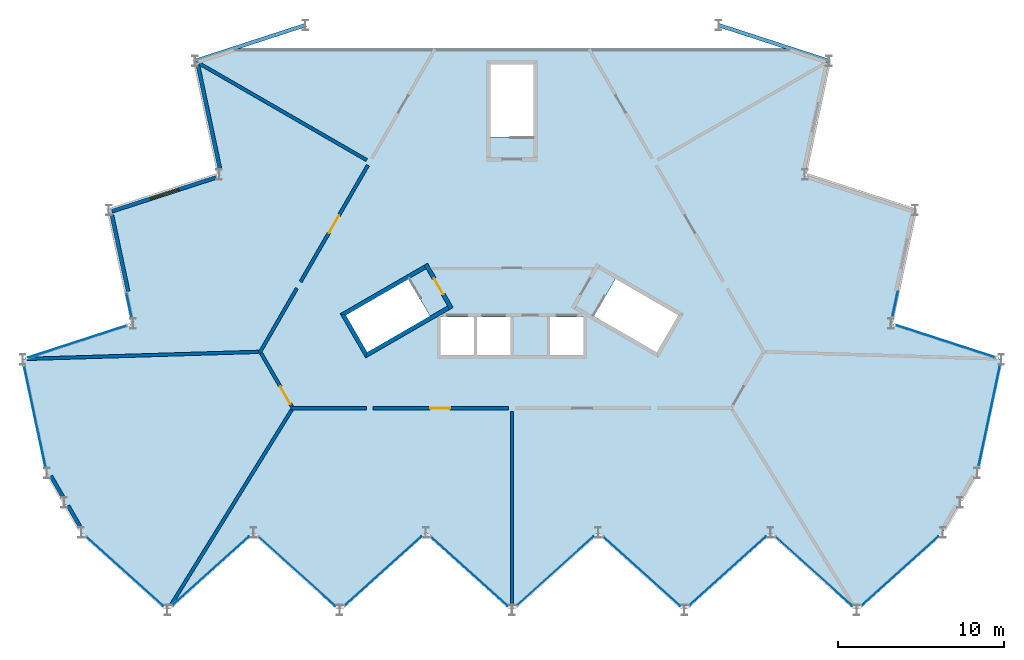
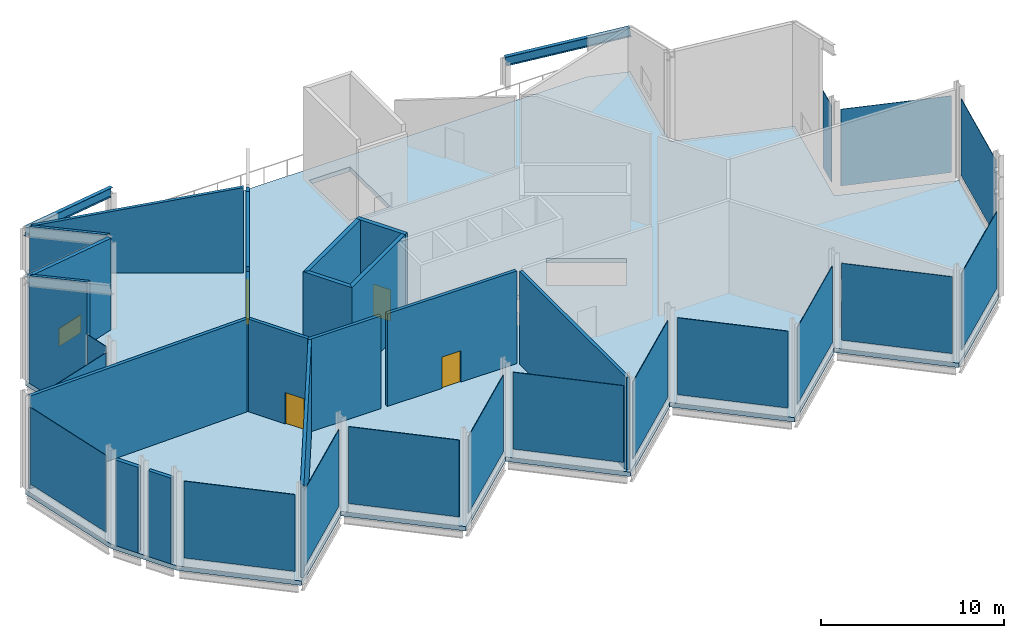
# One storey, part 7 of 10: 18 walls, 16 plates, 4 doors, 2 members, 1 slab, 1 window, 5 openings, 16 elements without a shape of their own.
"""IFC4 building model written with IfcOpenShell, lengths in metres."""

from ifc_helpers import new_model, si_unit, direction, frame, frame_2d, origin, origin_2d, place, context, subcontext, project, spatial, polyline, rectangle, i_section, outline, extrude, material, layer, layer_set, material_profile, profile_set, type_object, element, fill, aggregate, save


model = new_model("IFC4")

# Units and contexts
model_context = context("Model", 3, precision=1e-05, world=origin(), true_north=direction((0.0, 1.0)))
body_context = subcontext(model_context, "Body", "Model", "MODEL_VIEW")
ifc_project = project(units=[si_unit("LENGTHUNIT", "METRE"), si_unit("AREAUNIT", "SQUARE_METRE"), si_unit("VOLUMEUNIT", "CUBIC_METRE"), si_unit("PLANEANGLEUNIT", "RADIAN"), si_unit("MASSUNIT", "GRAM", prefix="KILO")], contexts=[model_context])

# Site, building, storey
site_placement = place(None, origin())
site = spatial("IfcSite", under=ifc_project, at=site_placement, CompositionType="ELEMENT")
building_placement = place(site_placement, origin())
building = spatial("IfcBuilding", under=site, at=building_placement, Name="Cormorant Prow Tower", CompositionType="ELEMENT")
storey_placement = place(building_placement, frame((0.0, 0.0, 441.199951171875)))
storey = spatial("IfcBuildingStorey", under=building, at=storey_placement, Name="L98", CompositionType="ELEMENT", Elevation=441.199951171875)

# Members
ifc_material_1 = material(Name="Structural steel ASTM A992 Gr 50", Category="steel")
ifc_material_profile = material_profile(ifc_material_1, i_section(OverallWidth=0.22900390625, OverallDepth=0.612060546875, WebThickness=0.011962890625, FlangeThickness=0.01953125, at=origin_2d()), Name="W24x84")
ifc_profile_set = profile_set([ifc_material_profile], Name="Structural steel ASTM A992 Gr 50")
member_type = type_object("IfcMemberType", Name="Crown frame edge member W24x84", PredefinedType="USERDEFINED", material=ifc_profile_set)
for number, where, z_axis, x_axis, name in (
    (1, (19.128662109375, 11.0439453125, 2.70166015625), (-0.942276055246, 0.306175765695, -0.135544222343), (-0.309027690338, -0.951053040899, 0.0), "Crown frame edge member CF3 ENE05-ENE06"),
    (2, (-12.473876953125, 13.206298828125, 1.744384765625), (-0.942276055246, -0.306175765695, 0.135544222343), (0.309027690338, -0.951053040899, 0.0), "Crown frame edge member CF3 WNW04-WNW05"),
):
    element("IfcMember", number, at=place(storey_placement, frame(where, z_axis=z_axis, x_axis=x_axis)), inside=storey, type_object=member_type, Name=name, ObjectType="CROWN FRAME", PredefinedType="USERDEFINED", context=body_context, shape_type="SweptSolid", body=[
        extrude(i_section(OverallWidth=0.22900390625, OverallDepth=0.612060546875, WebThickness=0.011962890625, FlangeThickness=0.01953125, at=origin_2d()), origin(), (0.0, 0.0, 1.0), 7.0625),
    ])

# Curtain wall, plate
ifc_material_2 = material(Name="Aluminium 6063-T6", Category="aluminium")
ifc_layer_1 = layer(ifc_material_2, 0.219970703125)
ifc_layer_set_1 = layer_set([ifc_layer_1], Name="Aluminium 6063-T6")
curtain_wall_type = type_object("IfcCurtainWallType", Name="Crown unitised curtain wall 220", PredefinedType="NOTDEFINED", material=ifc_layer_set_1)
curtain_wall_1_placement = place(storey_placement, origin())
curtain_wall_1 = element("IfcCurtainWall", 3, at=curtain_wall_1_placement, inside=storey, type_object=curtain_wall_type, Name="Crown curtain wall crown S00", PredefinedType="NOTDEFINED")
ifc_material_3 = material(Name="Clear glass", Category="glass")
ifc_layer_2 = layer(ifc_material_3, 0.031982421875)
ifc_layer_set_2 = layer_set([ifc_layer_2], Name="Clear glass")
plate_type = type_object("IfcPlateType", Name="Crown glass panel 32", PredefinedType="CURTAIN_PANEL", material=ifc_layer_set_2)
plate_1_placement = place(storey_placement, frame((-23.377685546875, -19.766845703125, 0.60009765625), z_axis=(0.0, 0.0, 1.0), x_axis=(0.743144827638, -0.669130603959, 0.0)))
plate_1 = element("IfcPlate", 4, at=plate_1_placement, type_object=plate_type, Name="Crown glass panel crown S00", PredefinedType="CURTAIN_PANEL", context=body_context, shape_type="SweptSolid", body=[
    extrude(rectangle(XDim=6.205322265625, YDim=0.031982421875, at=origin_2d()), origin(), (0.0, 0.0, 1.0), 5.1337890625),
])
aggregate(curtain_wall_1, [plate_1])

curtain_wall_2_placement = place(storey_placement, origin())
curtain_wall_2 = element("IfcCurtainWall", 5, at=curtain_wall_2_placement, inside=storey, type_object=curtain_wall_type, Name="Crown curtain wall crown S01", PredefinedType="NOTDEFINED")
plate_2_placement = place(storey_placement, frame((-18.177734375, -19.726806640625, 0.60009765625), z_axis=(0.0, 0.0, 1.0), x_axis=(0.743144827638, 0.669130603959, 0.0)))
plate_2 = element("IfcPlate", 6, at=plate_2_placement, type_object=plate_type, Name="Crown glass panel crown S01", PredefinedType="CURTAIN_PANEL", context=body_context, shape_type="SweptSolid", body=[
    extrude(rectangle(XDim=6.205322265625, YDim=0.031982421875, at=origin_2d()), origin(), (0.0, 0.0, 1.0), 5.1337890625),
])
aggregate(curtain_wall_2, [plate_2])

curtain_wall_3_placement = place(storey_placement, origin())
curtain_wall_3 = element("IfcCurtainWall", 7, at=curtain_wall_3_placement, inside=storey, type_object=curtain_wall_type, Name="Crown curtain wall crown S02", PredefinedType="NOTDEFINED")
plate_3_placement = place(storey_placement, frame((-12.977783203125, -19.766845703125, 0.60009765625), z_axis=(0.0, 0.0, 1.0), x_axis=(0.743144827638, -0.669130603959, 0.0)))
plate_3 = element("IfcPlate", 8, at=plate_3_placement, type_object=plate_type, Name="Crown glass panel crown S02", PredefinedType="CURTAIN_PANEL", context=body_context, shape_type="SweptSolid", body=[
    extrude(rectangle(XDim=6.205322265625, YDim=0.031982421875, at=origin_2d()), origin(), (0.0, 0.0, 1.0), 5.1337890625),
])
aggregate(curtain_wall_3, [plate_3])

curtain_wall_4_placement = place(storey_placement, origin())
curtain_wall_4 = element("IfcCurtainWall", 9, at=curtain_wall_4_placement, inside=storey, type_object=curtain_wall_type, Name="Crown curtain wall crown S03", PredefinedType="NOTDEFINED")
plate_4_placement = place(storey_placement, frame((-7.777587890625, -19.726806640625, 0.60009765625), z_axis=(0.0, 0.0, 1.0), x_axis=(0.743144827638, 0.669130603959, 0.0)))
plate_4 = element("IfcPlate", 10, at=plate_4_placement, type_object=plate_type, Name="Crown glass panel crown S03", PredefinedType="CURTAIN_PANEL", context=body_context, shape_type="SweptSolid", body=[
    extrude(rectangle(XDim=6.205322265625, YDim=0.031982421875, at=origin_2d()), origin(), (0.0, 0.0, 1.0), 5.1337890625),
])
aggregate(curtain_wall_4, [plate_4])

curtain_wall_5_placement = place(storey_placement, origin())
curtain_wall_5 = element("IfcCurtainWall", 11, at=curtain_wall_5_placement, inside=storey, type_object=curtain_wall_type, Name="Crown curtain wall crown S04", PredefinedType="NOTDEFINED")
plate_5_placement = place(storey_placement, frame((-2.57763671875, -19.766845703125, 0.60009765625), z_axis=(0.0, 0.0, 1.0), x_axis=(0.743144827638, -0.669130603959, 0.0)))
plate_5 = element("IfcPlate", 12, at=plate_5_placement, type_object=plate_type, Name="Crown glass panel crown S04", PredefinedType="CURTAIN_PANEL", context=body_context, shape_type="SweptSolid", body=[
    extrude(rectangle(XDim=6.205322265625, YDim=0.031982421875, at=origin_2d()), origin(), (0.0, 0.0, 1.0), 5.1337890625),
])
aggregate(curtain_wall_5, [plate_5])

curtain_wall_6_placement = place(storey_placement, origin())
curtain_wall_6 = element("IfcCurtainWall", 13, at=curtain_wall_6_placement, inside=storey, type_object=curtain_wall_type, Name="Crown curtain wall crown S05", PredefinedType="NOTDEFINED")
plate_6_placement = place(storey_placement, frame((2.622314453125, -19.726806640625, 0.60009765625), z_axis=(0.0, 0.0, 1.0), x_axis=(0.743144827638, 0.669130603959, 0.0)))
plate_6 = element("IfcPlate", 14, at=plate_6_placement, type_object=plate_type, Name="Crown glass panel crown S05", PredefinedType="CURTAIN_PANEL", context=body_context, shape_type="SweptSolid", body=[
    extrude(rectangle(XDim=6.205322265625, YDim=0.031982421875, at=origin_2d()), origin(), (0.0, 0.0, 1.0), 5.1337890625),
])
aggregate(curtain_wall_6, [plate_6])

curtain_wall_7_placement = place(storey_placement, origin())
curtain_wall_7 = element("IfcCurtainWall", 15, at=curtain_wall_7_placement, inside=storey, type_object=curtain_wall_type, Name="Crown curtain wall crown S06", PredefinedType="NOTDEFINED")
plate_7_placement = place(storey_placement, frame((7.822265625, -19.766845703125, 0.60009765625), z_axis=(0.0, 0.0, 1.0), x_axis=(0.743144827638, -0.669130603959, 0.0)))
plate_7 = element("IfcPlate", 16, at=plate_7_placement, type_object=plate_type, Name="Crown glass panel crown S06", PredefinedType="CURTAIN_PANEL", context=body_context, shape_type="SweptSolid", body=[
    extrude(rectangle(XDim=6.205322265625, YDim=0.031982421875, at=origin_2d()), origin(), (0.0, 0.0, 1.0), 5.1337890625),
])
aggregate(curtain_wall_7, [plate_7])

curtain_wall_8_placement = place(storey_placement, origin())
curtain_wall_8 = element("IfcCurtainWall", 17, at=curtain_wall_8_placement, inside=storey, type_object=curtain_wall_type, Name="Crown curtain wall crown S07", PredefinedType="NOTDEFINED")
plate_8_placement = place(storey_placement, frame((13.022216796875, -19.726806640625, 0.60009765625), z_axis=(0.0, 0.0, 1.0), x_axis=(0.743144827638, 0.669130603959, 0.0)))
plate_8 = element("IfcPlate", 18, at=plate_8_placement, type_object=plate_type, Name="Crown glass panel crown S07", PredefinedType="CURTAIN_PANEL", context=body_context, shape_type="SweptSolid", body=[
    extrude(rectangle(XDim=6.205322265625, YDim=0.031982421875, at=origin_2d()), origin(), (0.0, 0.0, 1.0), 5.1337890625),
])
aggregate(curtain_wall_8, [plate_8])

curtain_wall_9_placement = place(storey_placement, origin())
curtain_wall_9 = element("IfcCurtainWall", 19, at=curtain_wall_9_placement, inside=storey, type_object=curtain_wall_type, Name="Crown curtain wall crown S08", PredefinedType="NOTDEFINED")
plate_9_placement = place(storey_placement, frame((18.222412109375, -19.766845703125, 0.60009765625), z_axis=(0.0, 0.0, 1.0), x_axis=(0.743144827638, -0.669130603959, 0.0)))
plate_9 = element("IfcPlate", 20, at=plate_9_placement, type_object=plate_type, Name="Crown glass panel crown S08", PredefinedType="CURTAIN_PANEL", context=body_context, shape_type="SweptSolid", body=[
    extrude(rectangle(XDim=6.205322265625, YDim=0.031982421875, at=origin_2d()), origin(), (0.0, 0.0, 1.0), 5.1337890625),
])
aggregate(curtain_wall_9, [plate_9])

curtain_wall_10_placement = place(storey_placement, origin())
curtain_wall_10 = element("IfcCurtainWall", 21, at=curtain_wall_10_placement, inside=storey, type_object=curtain_wall_type, Name="Crown curtain wall crown S09", PredefinedType="NOTDEFINED")
plate_10_placement = place(storey_placement, frame((23.42236328125, -19.726806640625, 0.60009765625), z_axis=(0.0, 0.0, 1.0), x_axis=(0.743144827638, 0.669130603959, 0.0)))
plate_10 = element("IfcPlate", 22, at=plate_10_placement, type_object=plate_type, Name="Crown glass panel crown S09", PredefinedType="CURTAIN_PANEL", context=body_context, shape_type="SweptSolid", body=[
    extrude(rectangle(XDim=6.205322265625, YDim=0.031982421875, at=origin_2d()), origin(), (0.0, 0.0, 1.0), 5.1337890625),
])
aggregate(curtain_wall_10, [plate_10])

curtain_wall_11_placement = place(storey_placement, origin())
curtain_wall_11 = element("IfcCurtainWall", 23, at=curtain_wall_11_placement, inside=storey, type_object=curtain_wall_type, Name="Crown curtain wall crown ENE00", PredefinedType="NOTDEFINED")
plate_11_placement = place(storey_placement, frame((28.807373046875, -10.3623046875, 0.60009765625), z_axis=(0.0, 0.0, 1.0), x_axis=(0.207911620089, 0.978147615768, 0.0)))
plate_11 = element("IfcPlate", 24, at=plate_11_placement, type_object=plate_type, Name="Crown glass panel crown ENE00", PredefinedType="CURTAIN_PANEL", context=body_context, shape_type="SweptSolid", body=[
    extrude(rectangle(XDim=6.205322265625, YDim=0.031982421875, at=origin_2d()), origin(), (0.0, 0.0, 1.0), 5.1337890625),
])
aggregate(curtain_wall_11, [plate_11])

curtain_wall_12_placement = place(storey_placement, origin())
curtain_wall_12 = element("IfcCurtainWall", 25, at=curtain_wall_12_placement, inside=storey, type_object=curtain_wall_type, Name="Crown curtain wall crown ENE01", PredefinedType="NOTDEFINED")
plate_12_placement = place(storey_placement, frame((26.172607421875, -5.87890625, 0.60009765625), z_axis=(0.0, 0.0, 1.0), x_axis=(-0.951056534902, 0.309016937108, 0.0)))
plate_12 = element("IfcPlate", 26, at=plate_12_placement, type_object=plate_type, Name="Crown glass panel crown ENE01", PredefinedType="CURTAIN_PANEL", context=body_context, shape_type="SweptSolid", body=[
    extrude(rectangle(XDim=6.205322265625, YDim=0.031982421875, at=origin_2d()), origin(), (0.0, 0.0, 1.0), 5.1337890625),
])
aggregate(curtain_wall_12, [plate_12])

curtain_wall_13_placement = place(storey_placement, origin())
curtain_wall_13 = element("IfcCurtainWall", 27, at=curtain_wall_13_placement, inside=storey, type_object=curtain_wall_type, Name="Crown curtain wall crown ENE02", PredefinedType="NOTDEFINED")
plate_13_placement = place(storey_placement, frame((23.1220703125, -3.639404296875, 0.60009765625), z_axis=(0.0, 0.0, 1.0), x_axis=(0.207911620089, 0.978147615768, 0.0)))
plate_13 = element("IfcPlate", 28, at=plate_13_placement, type_object=plate_type, Name="Crown glass panel crown ENE02", PredefinedType="CURTAIN_PANEL", context=body_context, shape_type="SweptSolid", body=[
    extrude(rectangle(XDim=1.535888671875, YDim=0.031982421875, at=origin_2d()), origin(), (0.0, 0.0, 1.0), 5.1337890625),
])
aggregate(curtain_wall_13, [plate_13])

curtain_wall_14_placement = place(storey_placement, origin())
curtain_wall_14 = element("IfcCurtainWall", 29, at=curtain_wall_14_placement, inside=storey, type_object=curtain_wall_type, Name="Crown curtain wall crown WNW07", PredefinedType="NOTDEFINED")
plate_14_placement = place(storey_placement, frame((-23.109619140625, -3.697998046875, 0.60009765625), z_axis=(0.0, 0.0, 1.0), x_axis=(0.207911620089, -0.978147615768, 0.0)))
plate_14 = element("IfcPlate", 30, at=plate_14_placement, type_object=plate_type, Name="Crown glass panel crown WNW07", PredefinedType="CURTAIN_PANEL", context=body_context, shape_type="SweptSolid", body=[
    extrude(rectangle(XDim=1.535888671875, YDim=0.031982421875, at=origin_2d()), origin(), (0.0, 0.0, 1.0), 5.1337890625),
])
aggregate(curtain_wall_14, [plate_14])

curtain_wall_15_placement = place(storey_placement, origin())
curtain_wall_15 = element("IfcCurtainWall", 31, at=curtain_wall_15_placement, inside=storey, type_object=curtain_wall_type, Name="Crown curtain wall crown WNW08", PredefinedType="NOTDEFINED")
plate_15_placement = place(storey_placement, frame((-26.229736328125, -5.8974609375, 0.60009765625), z_axis=(0.0, 0.0, 1.0), x_axis=(-0.951056534902, -0.309016937108, 0.0)))
plate_15 = element("IfcPlate", 32, at=plate_15_placement, type_object=plate_type, Name="Crown glass panel crown WNW08", PredefinedType="CURTAIN_PANEL", context=body_context, shape_type="SweptSolid", body=[
    extrude(rectangle(XDim=6.205322265625, YDim=0.031982421875, at=origin_2d()), origin(), (0.0, 0.0, 1.0), 5.1337890625),
])
aggregate(curtain_wall_15, [plate_15])

curtain_wall_16_placement = place(storey_placement, origin())
curtain_wall_16 = element("IfcCurtainWall", 33, at=curtain_wall_16_placement, inside=storey, type_object=curtain_wall_type, Name="Crown curtain wall crown WNW09", PredefinedType="NOTDEFINED")
plate_16_placement = place(storey_placement, frame((-28.794921875, -10.4208984375, 0.60009765625), z_axis=(0.0, 0.0, 1.0), x_axis=(0.207911620089, -0.978147615768, 0.0)))
plate_16 = element("IfcPlate", 34, at=plate_16_placement, type_object=plate_type, Name="Crown glass panel crown WNW09", PredefinedType="CURTAIN_PANEL", context=body_context, shape_type="SweptSolid", body=[
    extrude(rectangle(XDim=6.205322265625, YDim=0.031982421875, at=origin_2d()), origin(), (0.0, 0.0, 1.0), 5.1337890625),
])
aggregate(curtain_wall_16, [plate_16])

# Slab
ifc_material_4 = material(Name="Concrete C40/50", Category="concrete")
ifc_layer_3 = layer(ifc_material_4, 0.300048828125)
ifc_layer_set_3 = layer_set([ifc_layer_3], Name="Concrete C40/50")
slab_type = type_object("IfcSlabType", Name="Post-tensioned flat slab 300", PredefinedType="FLOOR", material=ifc_layer_set_3)
slab_placement = place(storey_placement, frame((0.0, 0.0, -0.300048828125)))
element("IfcSlab", 35, at=slab_placement, inside=storey, type_object=slab_type, Name="Floor slab L98", PredefinedType="FLOOR", context=body_context, shape_type="SweptSolid", body=[
    extrude(outline(polyline([(27.036865234375, -15.60986328125), (28.07373046875, -13.813720703125), (29.528564453125, -6.969482421875), (22.873779296875, -4.80712890625), (24.32861328125, 2.037353515625), (17.673828125, 4.199462890625), (19.128662109375, 11.0439453125), (16.8203125, 11.7939453125), (-16.8203125, 11.7939453125), (-19.128662109375, 11.0439453125), (-17.673828125, 4.199462890625), (-24.32861328125, 2.037353515625), (-22.873779296875, -4.80712890625), (-29.528564453125, -6.969482421875), (-28.07373046875, -13.813720703125), (-27.036865234375, -15.60986328125), (-26.0, -17.40576171875), (-20.800048828125, -22.087890625), (-15.60009765625, -17.40576171875), (-10.39990234375, -22.087890625), (-5.199951171875, -17.40576171875), (0.0, -22.087890625), (5.199951171875, -17.40576171875), (10.39990234375, -22.087890625), (15.60009765625, -17.40576171875), (20.800048828125, -22.087890625), (26.0, -17.40576171875), (27.036865234375, -15.60986328125)]), holes=[polyline([(-4.300048828125, -4.39990234375), (-2.300048828125, -4.39990234375), (-2.300048828125, -6.699951171875), (-4.300048828125, -6.699951171875), (-4.300048828125, -4.39990234375)]), polyline([(-0.10009765625, -4.39990234375), (-0.10009765625, -6.699951171875), (-2.10009765625, -6.699951171875), (-2.10009765625, -4.39990234375), (-0.10009765625, -4.39990234375)]), polyline([(4.300048828125, -6.699951171875), (2.300048828125, -6.699951171875), (2.300048828125, -4.39990234375), (4.300048828125, -4.39990234375), (4.300048828125, -6.699951171875)]), polyline([(-4.947509765625, -4.3505859375), (-8.738037109375, -6.5390625), (-10.031982421875, -4.2978515625), (-6.241455078125, -2.109375), (-4.947509765625, -4.3505859375)]), polyline([(10.031982421875, -4.2978515625), (8.738037109375, -6.5390625), (4.947509765625, -4.3505859375), (6.241455078125, -2.109375), (10.031982421875, -4.2978515625)]), polyline([(1.2939453125, 10.8369140625), (1.2939453125, 6.459716796875), (-1.2939453125, 6.459716796875), (-1.2939453125, 10.8369140625), (1.2939453125, 10.8369140625)])]), origin(), (0.0, 0.0, 1.0), 0.300048828125),
])

# Wall, opening, door
ifc_material_5 = material(Name="Gypsum board corridor wall")
ifc_layer_4 = layer(ifc_material_5, 0.199951171875)
ifc_layer_set_4 = layer_set([ifc_layer_4], Name="Gypsum board corridor wall")
wall_type_1 = type_object("IfcWallType", Name="Corridor wall 200", PredefinedType="PARTITIONING", material=ifc_layer_set_4)
wall_1_placement = place(storey_placement, frame((-8.381591796875, -9.905517578125, 0.0), z_axis=(0.0, 0.0, 1.0), x_axis=(1.0, 0.0, 0.0)))
wall_1 = element("IfcWall", 36, at=wall_1_placement, inside=storey, type_object=wall_type_1, Name="Corridor wall", PredefinedType="PARTITIONING", context=body_context, shape_type="SweptSolid", body=[
    extrude(rectangle(XDim=8.1845703125, YDim=0.199951171875, at=frame_2d((4.09228515625, 0.0))), origin(), (0.0, 0.0, 1.0), 6.199951171875),
])
opening_1_placement = place(wall_1_placement, frame((3.441650390625, 0.0, 0.0)))
opening_1 = element("IfcOpeningElement", 37, at=opening_1_placement, cuts=wall_1, Name="Opening L98-F03", PredefinedType="OPENING", context=body_context, shape_type="SweptSolid", body=[
    extrude(rectangle(XDim=1.199951171875, YDim=2.10009765625, at=frame_2d((0.60009765625, 1.050048828125))), frame((0.0, 0.10986328125, 0.0), z_axis=(0.0, -1.0, 0.0), x_axis=(1.0, 0.0, 0.0)), (0.0, 0.0, 1.0), 0.219970703125),
])
ifc_material_6 = material(Name="Timber door leaf", Category="wood")
door_type_1 = type_object("IfcDoorType", Name="Plant room door 1200x2100", OperationType="NOTDEFINED", PredefinedType="DOOR", material=ifc_material_6)
door_1_placement = place(opening_1_placement, origin())
door_1 = element("IfcDoor", 38, at=door_1_placement, inside=storey, type_object=door_type_1, Name="Water tank room door", OperationType="SINGLE_SWING_RIGHT", OverallHeight=2.10009765625, OverallWidth=1.199951171875, PredefinedType="DOOR", context=body_context, shape_type="SweptSolid", body=[
    extrude(rectangle(XDim=1.199951171875, YDim=2.10009765625, at=frame_2d((0.60009765625, 1.050048828125))), frame((0.0, 0.02490234375, 0.0), z_axis=(0.0, -1.0, 0.0), x_axis=(1.0, 0.0, 0.0)), (0.0, 0.0, 1.0), 0.050048828125),
])
fill(opening_1, door_1)

wall_2_placement = place(storey_placement, frame((-12.75390625, -2.279296875, 0.0), z_axis=(0.0, 0.0, 1.0), x_axis=(0.500001682468, 0.866024432409, 0.0)))
wall_2 = element("IfcWall", 39, at=wall_2_placement, inside=storey, type_object=wall_type_1, Name="Corridor wall", PredefinedType="PARTITIONING", context=body_context, shape_type="SweptSolid", body=[
    extrude(outline(polyline([(0.0, 0.0), (8.12353515625, 0.0), (8.12353515625, 5.842529296875), (7.191162109375, 6.199951171875), (0.0, 6.199951171875), (0.0, 0.0)])), frame((0.0, 0.10009765625, 0.0), z_axis=(0.0, -1.0, 0.0), x_axis=(1.0, 0.0, 0.0)), (0.0, 0.0, 1.0), 0.199951171875),
])
opening_2_placement = place(wall_2_placement, frame((3.41162109375, 0.0, 0.0)))
opening_2 = element("IfcOpeningElement", 40, at=opening_2_placement, cuts=wall_2, Name="Opening L98-F05", PredefinedType="OPENING", context=body_context, shape_type="SweptSolid", body=[
    extrude(rectangle(XDim=1.199951171875, YDim=2.10009765625, at=frame_2d((0.60009765625, 1.050048828125))), frame((0.0, 0.10986328125, 0.0), z_axis=(0.0, -1.0, 0.0), x_axis=(1.0, 0.0, 0.0)), (0.0, 0.0, 1.0), 0.219970703125),
])
door_2_placement = place(opening_2_placement, origin())
door_2 = element("IfcDoor", 41, at=door_2_placement, inside=storey, type_object=door_type_1, Name="Air handling plant room door", OperationType="SINGLE_SWING_LEFT", OverallHeight=2.10009765625, OverallWidth=1.199951171875, PredefinedType="DOOR", context=body_context, shape_type="SweptSolid", body=[
    extrude(rectangle(XDim=1.199951171875, YDim=2.10009765625, at=frame_2d((0.60009765625, 1.050048828125))), frame((0.0, 0.02490234375, 0.0), z_axis=(0.0, -1.0, 0.0), x_axis=(1.0, 0.0, 0.0)), (0.0, 0.0, 1.0), 0.050048828125),
])
fill(opening_2, door_2)

# Walls
wall_3_placement = place(storey_placement, frame((-13.330810546875, -9.905517578125, 0.0), z_axis=(0.0, 0.0, 1.0), x_axis=(1.0, 0.0, 0.0)))
element("IfcWall", 42, at=wall_3_placement, inside=storey, type_object=wall_type_1, Name="Corridor wall", PredefinedType="PARTITIONING", context=body_context, shape_type="SweptSolid", body=[
    extrude(rectangle(XDim=4.555419921875, YDim=0.199951171875, at=frame_2d((2.27783203125, 0.0))), origin(), (0.0, 0.0, 1.0), 6.199951171875),
])
wall_4_placement = place(storey_placement, frame((-15.243896484375, -6.59228515625, 0.0), z_axis=(0.0, 0.0, 1.0), x_axis=(0.499974648164, 0.866040040179, 0.0)))
element("IfcWall", 43, at=wall_4_placement, inside=storey, type_object=wall_type_1, Name="Corridor wall", PredefinedType="PARTITIONING", context=body_context, shape_type="SweptSolid", body=[
    extrude(rectangle(XDim=4.525146484375, YDim=0.199951171875, at=frame_2d((2.2626953125, 0.0))), origin(), (0.0, 0.0, 1.0), 6.199951171875),
])

# Wall, opening, door
wall_5_placement = place(storey_placement, frame((-15.143798828125, -6.59228515625, 0.0), z_axis=(0.0, 0.0, 1.0), x_axis=(0.499958791762, -0.866049194065, 0.0)))
wall_5 = element("IfcWall", 44, at=wall_5_placement, inside=storey, type_object=wall_type_1, Name="Corridor wall", PredefinedType="PARTITIONING", context=body_context, shape_type="SweptSolid", body=[
    extrude(rectangle(XDim=3.725830078125, YDim=0.199951171875, at=frame_2d((1.86279296875, 0.0))), origin(), (0.0, 0.0, 1.0), 6.199951171875),
])
opening_3_placement = place(wall_5_placement, frame((2.324951171875, 0.0, 0.0)))
opening_3 = element("IfcOpeningElement", 45, at=opening_3_placement, cuts=wall_5, Name="Opening L98-F01", PredefinedType="OPENING", context=body_context, shape_type="SweptSolid", body=[
    extrude(rectangle(XDim=1.199951171875, YDim=2.10009765625, at=frame_2d((0.60009765625, 1.050048828125))), frame((0.0, 0.10986328125, 0.0), z_axis=(0.0, -1.0, 0.0), x_axis=(1.0, 0.0, 0.0)), (0.0, 0.0, 1.0), 0.219970703125),
])
door_3_placement = place(opening_3_placement, origin())
door_3 = element("IfcDoor", 46, at=door_3_placement, inside=storey, type_object=door_type_1, Name="Damper plant room door", OperationType="SINGLE_SWING_RIGHT", OverallHeight=2.10009765625, OverallWidth=1.199951171875, PredefinedType="DOOR", context=body_context, shape_type="SweptSolid", body=[
    extrude(rectangle(XDim=1.199951171875, YDim=2.10009765625, at=frame_2d((0.60009765625, 1.050048828125))), frame((0.0, 0.02490234375, 0.0), z_axis=(0.0, -1.0, 0.0), x_axis=(1.0, 0.0, 0.0)), (0.0, 0.0, 1.0), 0.050048828125),
])
fill(opening_3, door_3)

# Walls
ifc_material_7 = material(Name="Gypsum board demising wall")
ifc_layer_5 = layer(ifc_material_7, 0.199951171875)
ifc_layer_set_5 = layer_set([ifc_layer_5], Name="Gypsum board demising wall")
wall_type_2 = type_object("IfcWallType", Name="Demising wall 200", PredefinedType="PARTITIONING", material=ifc_layer_set_5)
wall_6_placement = place(storey_placement, frame((-29.260498046875, -6.934814453125, 0.0), z_axis=(0.0, 0.0, 1.0), x_axis=(0.999534583604, 0.030506002359, 0.0)))
element("IfcWall", 47, at=wall_6_placement, inside=storey, type_object=wall_type_2, Name="Demising wall", PredefinedType="PARTITIONING", context=body_context, shape_type="SweptSolid", body=[
    extrude(rectangle(XDim=13.973388671875, YDim=0.199951171875, at=frame_2d((6.98681640625, 0.0))), origin(), (0.0, 0.0, 1.0), 6.199951171875),
])
wall_7_placement = place(storey_placement, frame((-20.608154296875, -21.827880859375, 0.0), z_axis=(0.0, 0.0, 1.0), x_axis=(0.526187960676, 0.850368290825, 0.0)))
element("IfcWall", 48, at=wall_7_placement, inside=storey, type_object=wall_type_2, Name="Demising wall", PredefinedType="PARTITIONING", context=body_context, shape_type="SweptSolid", body=[
    extrude(rectangle(XDim=13.92041015625, YDim=0.199951171875, at=frame_2d((6.960205078125, 0.0))), origin(), (0.0, 0.0, 1.0), 6.199951171875),
])
wall_8_placement = place(storey_placement, frame((0.0, -21.827880859375, 0.0), z_axis=(0.0, 0.0, 1.0), x_axis=(0.0, 1.0, 0.0)))
element("IfcWall", 49, at=wall_8_placement, inside=storey, type_object=wall_type_2, Name="Demising wall", PredefinedType="PARTITIONING", context=body_context, shape_type="SweptSolid", body=[
    extrude(rectangle(XDim=11.725341796875, YDim=0.199951171875, at=frame_2d((5.86279296875, 0.0))), origin(), (0.0, 0.0, 1.0), 6.199951171875),
])
wall_9_placement = place(storey_placement, frame((-18.85986328125, 10.888916015625, 0.0), z_axis=(0.0, 0.0, 1.0), x_axis=(0.866016599503, -0.500015249154, 0.0)))
element("IfcWall", 50, at=wall_9_placement, inside=storey, type_object=wall_type_2, Name="Demising wall", PredefinedType="PARTITIONING", context=body_context, shape_type="SweptSolid", body=[
    extrude(outline(polyline([(0.0, 0.0), (11.644775390625, 0.0), (11.64453125, 5.705078125), (0.0, 3.12744140625), (0.0, 0.0)])), frame((0.0, 0.10009765625, 0.0), z_axis=(0.0, -1.0, 0.0), x_axis=(1.0, 0.0, 0.0)), (0.0, 0.0, 1.0), 0.199951171875),
])
ifc_material_8 = material(Name="Concrete 8000 psi", Category="concrete")
ifc_layer_6 = layer(ifc_material_8, 0.25)
ifc_layer_set_6 = layer_set([ifc_layer_6], Name="Concrete 8000 psi")
wall_type_3 = type_object("IfcWallType", Name="Stair wall 250", PredefinedType="SHEAR", material=ifc_layer_set_6)
wall_10_placement = place(storey_placement, origin())
element("IfcWall", 51, at=wall_10_placement, inside=storey, type_object=wall_type_3, Name="Stair ST1 enclosure wall (flank)", PredefinedType="SHEAR", context=body_context, shape_type="SweptSolid", body=[
    extrude(outline(polyline([(-5.30712890625, -1.28125), (-10.37353515625, -4.206298828125), (-10.031982421875, -4.2978515625), (-5.18212890625, -1.497802734375), (-5.30712890625, -1.28125)])), origin(), (0.0, 0.0, 1.0), 6.199951171875),
])
wall_11_placement = place(storey_placement, origin())
element("IfcWall", 52, at=wall_11_placement, inside=storey, type_object=wall_type_3, Name="Stair ST1 enclosure wall (end)", PredefinedType="SHEAR", context=body_context, shape_type="SweptSolid", body=[
    extrude(outline(polyline([(-10.37353515625, -4.206298828125), (-8.82958984375, -6.880615234375), (-8.738037109375, -6.5390625), (-10.031982421875, -4.2978515625), (-10.37353515625, -4.206298828125)])), origin(), (0.0, 0.0, 1.0), 6.199951171875),
])
wall_12_placement = place(storey_placement, origin())
element("IfcWall", 53, at=wall_12_placement, inside=storey, type_object=wall_type_3, Name="Stair ST1 enclosure wall (flank)", PredefinedType="SHEAR", context=body_context, shape_type="SweptSolid", body=[
    extrude(outline(polyline([(-8.738037109375, -6.5390625), (-8.82958984375, -6.880615234375), (-3.76318359375, -3.95556640625), (-3.88818359375, -3.739013671875), (-8.738037109375, -6.5390625)])), origin(), (0.0, 0.0, 1.0), 6.199951171875),
])

# Wall, opening, door
wall_13_placement = place(storey_placement, frame((-5.198974609375, -1.21875, 0.0), z_axis=(0.0, 0.0, 1.0), x_axis=(0.499982516597, -0.866035497597, 0.0)))
wall_13 = element("IfcWall", 54, at=wall_13_placement, inside=storey, type_object=wall_type_3, Name="Stair ST1 door wall", PredefinedType="SHEAR", context=body_context, shape_type="SweptSolid", body=[
    extrude(rectangle(XDim=3.087890625, YDim=0.25, at=frame_2d((1.5439453125, 0.0))), origin(), (0.0, 0.0, 1.0), 6.199951171875),
])
opening_4_placement = place(wall_13_placement, frame((0.993896484375, 0.0, 0.0)))
opening_4 = element("IfcOpeningElement", 55, at=opening_4_placement, cuts=wall_13, Name="Opening L98-C06", PredefinedType="OPENING", context=body_context, shape_type="SweptSolid", body=[
    extrude(rectangle(XDim=1.10009765625, YDim=2.10009765625, at=frame_2d((0.550048828125, 1.050048828125))), frame((0.0, 0.135009765625, 0.0), z_axis=(0.0, -1.0, 0.0), x_axis=(1.0, 0.0, 0.0)), (0.0, 0.0, 1.0), 0.27001953125),
])
ifc_material_9 = material(Name="Painted steel", Category="steel")
door_type_2 = type_object("IfcDoorType", Name="Stair door 1100x2100", OperationType="NOTDEFINED", PredefinedType="DOOR", material=ifc_material_9)
door_4_placement = place(opening_4_placement, origin())
door_4 = element("IfcDoor", 56, at=door_4_placement, inside=storey, type_object=door_type_2, Name="Stair ST1 door", OperationType="SINGLE_SWING_LEFT", OverallHeight=2.10009765625, OverallWidth=1.10009765625, PredefinedType="DOOR", context=body_context, shape_type="SweptSolid", body=[
    extrude(rectangle(XDim=1.10009765625, YDim=2.10009765625, at=frame_2d((0.550048828125, 1.050048828125))), frame((0.0, 0.02490234375, 0.0), z_axis=(0.0, -1.0, 0.0), x_axis=(1.0, 0.0, 0.0)), (0.0, 0.0, 1.0), 0.050048828125),
])
fill(opening_4, door_4)

# Wall
ifc_material_10 = material(Name="Terracotta", Category="masonry")
ifc_layer_7 = layer(ifc_material_10, 0.22998046875)
ifc_layer_set_7 = layer_set([ifc_layer_7], Name="Terracotta")
wall_type_4 = type_object("IfcWallType", Name="Terracotta crown cladding wall 230", PredefinedType="SOLIDWALL", material=ifc_layer_set_7)
wall_14_placement = place(storey_placement, frame((-18.947021484375, 10.74267578125, 0.0), z_axis=(0.0, 0.0, 1.0), x_axis=(0.20789874855, -0.978150351608, 0.0)))
element("IfcWall", 57, at=wall_14_placement, inside=storey, type_object=wall_type_4, Name="Terracotta raked crown wall WNW05", PredefinedType="SOLIDWALL", context=body_context, shape_type="SweptSolid", body=[
    extrude(outline(polyline([(0.0, 0.0), (6.351806640625, 0.0), (6.351806640625, 5.930419921875), (6.298828125, 5.930419921875), (0.033447265625, 3.21728515625), (0.0, 3.21728515625), (0.0, 0.0)])), frame((0.0, 0.114990234375, 0.0), z_axis=(0.0, -1.0, 0.0), x_axis=(1.0, 0.0, 0.0)), (0.0, 0.0, 1.0), 0.22998046875),
])

# Wall, opening, window
wall_15_placement = place(storey_placement, frame((-17.865478515625, 4.016357421875, 0.0), z_axis=(0.0, 0.0, 1.0), x_axis=(-0.951051480046, -0.309032493925, 0.0)))
wall_15 = element("IfcWall", 58, at=wall_15_placement, inside=storey, type_object=wall_type_4, Name="Terracotta raked crown wall WNW06", PredefinedType="SOLIDWALL", context=body_context, shape_type="SweptSolid", body=[
    extrude(outline(polyline([(0.0, 0.0), (6.59423828125, 0.0), (6.59423828125, 6.99609375), (6.392333984375, 6.99609375), (0.127197265625, 6.138916015625), (0.0, 6.138916015625), (0.0, 0.0)])), frame((0.0, 0.114990234375, 0.0), z_axis=(0.0, -1.0, 0.0), x_axis=(1.0, 0.0, 0.0)), (0.0, 0.0, 1.0), 0.22998046875),
])
opening_5_placement = place(wall_15_placement, frame((2.359619140625, 0.0, 1.0)))
opening_5 = element("IfcOpeningElement", 59, at=opening_5_placement, cuts=wall_15, Name="Opening WN2", PredefinedType="OPENING", context=body_context, shape_type="SweptSolid", body=[
    extrude(rectangle(XDim=1.800048828125, YDim=1.199951171875, at=frame_2d((0.89990234375, 0.60009765625))), frame((0.0, 0.125, 0.0), z_axis=(0.0, -1.0, 0.0), x_axis=(1.0, 0.0, 0.0)), (0.0, 0.0, 1.0), 0.25),
])
ifc_material_11 = material(Name="Aluminium 6063-T6", Category="aluminium")
window_type = type_object("IfcWindowType", Name="Crown skylight 1800x1200", PartitioningType="SINGLE_PANEL", PredefinedType="SKYLIGHT", material=ifc_material_11)
window_placement = place(opening_5_placement, origin())
window = element("IfcWindow", 60, at=window_placement, inside=storey, type_object=window_type, Name="Crown skylight WNW06", OverallHeight=1.199951171875, OverallWidth=1.800048828125, PartitioningType="SINGLE_PANEL", PredefinedType="SKYLIGHT", context=body_context, shape_type="SweptSolid", body=[
    extrude(rectangle(XDim=1.800048828125, YDim=1.199951171875, at=frame_2d((0.89990234375, 0.60009765625))), frame((0.0, 0.030029296875, 0.0), z_axis=(0.0, -1.0, 0.0), x_axis=(1.0, 0.0, 0.0)), (0.0, 0.0, 1.0), 0.06005859375),
])
fill(opening_5, window)

# Walls
wall_16_placement = place(storey_placement, frame((-24.14697265625, 1.73583984375, 0.0), z_axis=(0.0, 0.0, 1.0), x_axis=(0.207912151002, -0.978147502918, 0.0)))
element("IfcWall", 61, at=wall_16_placement, inside=storey, type_object=wall_type_4, Name="Terracotta raked crown wall WNW07", PredefinedType="SOLIDWALL", context=body_context, shape_type="SweptSolid", body=[
    extrude(outline(polyline([(0.0, 0.0), (4.702880859375, 0.0), (4.702880859375, 9.2265625), (0.033447265625, 7.20458984375), (0.0, 7.20458984375), (0.0, 0.0)])), frame((0.0, 0.114990234375, 0.0), z_axis=(0.0, -1.0, 0.0), x_axis=(1.0, 0.0, 0.0)), (0.0, 0.0, 1.0), 0.22998046875),
])
for number, where, z_axis, x_axis, name in (
    (62, (-27.830810546875, -14.004638671875, 0.0), (0.0, 0.0, 1.0), (0.500001025616, -0.866024811644, 0.0), "Terracotta crown wall WSW00"),
    (63, (-26.7939453125, -15.800537109375, 0.0), (0.0, 0.0, 1.0), (0.500001025616, -0.866024811644, 0.0), "Terracotta crown wall WSW01"),
):
    element("IfcWall", number, at=place(storey_placement, frame(where, z_axis=z_axis, x_axis=x_axis)), inside=storey, type_object=wall_type_4, Name=name, PredefinedType="SOLIDWALL", context=body_context, shape_type="SweptSolid", body=[
        extrude(rectangle(XDim=1.44140625, YDim=0.22998046875, at=frame_2d((0.720703125, 0.0))), origin(), (0.0, 0.0, 1.0), 5.73388671875),
    ])

save(model, "model.ifc")
